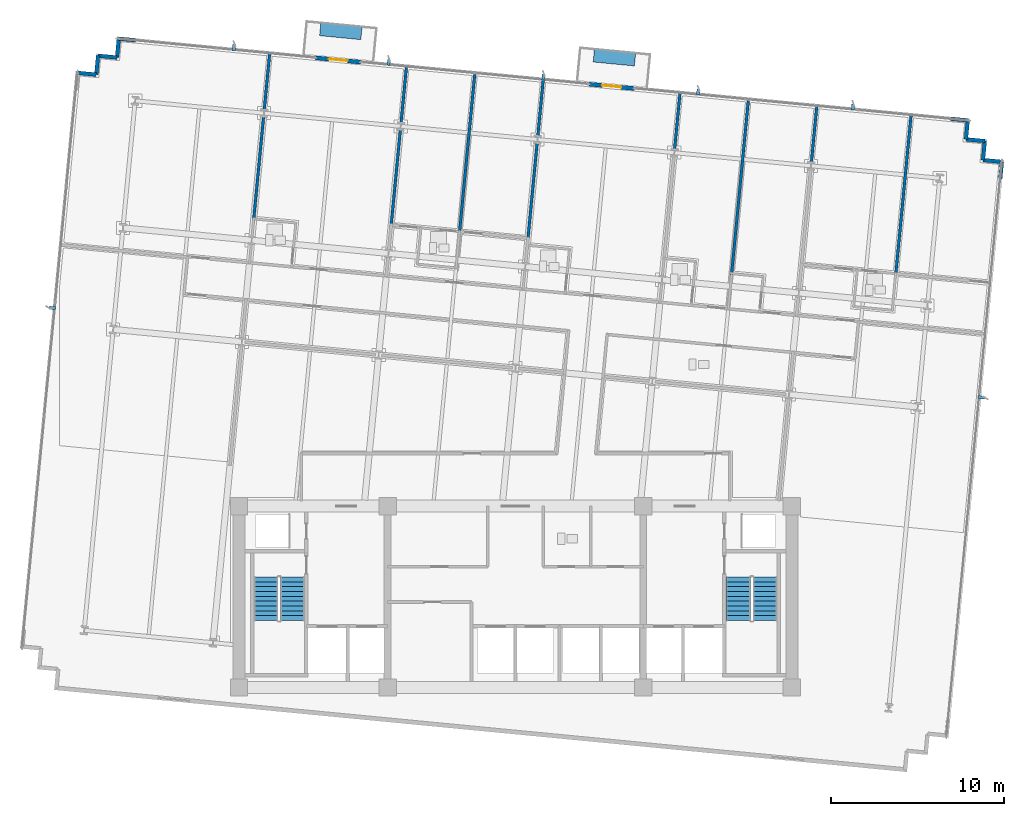
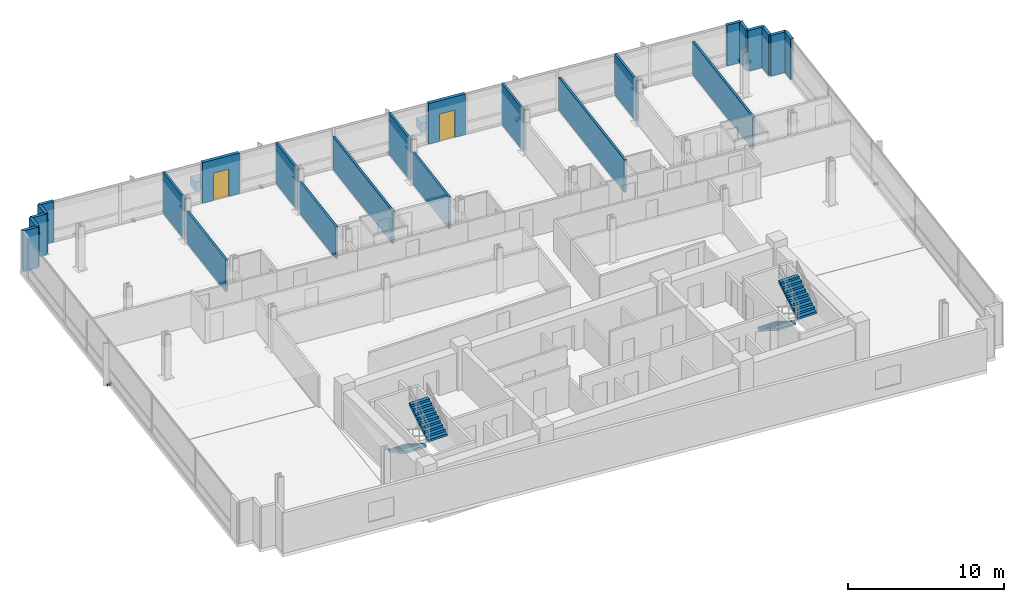
# One storey, part 13 of 17: 24 walls, 9 discrete accessories, 4 stair flights, 2 doors, 2 openings, 2 elements without a shape of their own.
"""IFC4 building model written with IfcOpenShell, lengths in metres."""

from ifc_helpers import new_model, si_unit, direction, frame, frame_2d, origin, origin_2d, place, context, subcontext, project, spatial, polyline, rectangle, outline, extrude, material, layer, layer_set, type_object, element, fill, aggregate, save


model = new_model("IFC4")

# Units and contexts
model_context = context("Model", 3, precision=1e-05, world=origin(), true_north=direction((0.0, 1.0)))
body_context = subcontext(model_context, "Body", "Model", "MODEL_VIEW")
ifc_project = project(units=[si_unit("LENGTHUNIT", "METRE"), si_unit("AREAUNIT", "SQUARE_METRE"), si_unit("VOLUMEUNIT", "CUBIC_METRE"), si_unit("PLANEANGLEUNIT", "RADIAN"), si_unit("MASSUNIT", "GRAM", prefix="KILO")], contexts=[model_context])

# Site, building, storey
site_placement = place(None, origin())
site = spatial("IfcSite", under=ifc_project, at=site_placement, CompositionType="ELEMENT")
building_placement = place(site_placement, origin())
building = spatial("IfcBuilding", under=site, at=building_placement, Name="Solmavex Isthmus Hotel", CompositionType="ELEMENT")
storey_placement = place(building_placement, frame((0.0, 0.0, 139.35009765625)))
storey = spatial("IfcBuildingStorey", under=building, at=storey_placement, Name="L37", CompositionType="ELEMENT", Elevation=139.35009765625)

# Wall, opening, door
ifc_material_1 = material(Name="Precast Concrete C40/50", Category="concrete")
ifc_layer_1 = layer(ifc_material_1, 0.25)
ifc_layer_set_1 = layer_set([ifc_layer_1], Name="Precast Concrete C40/50")
wall_type_1 = type_object("IfcWallType", Name="EW-TWR-250", PredefinedType="STANDARD", material=ifc_layer_set_1)
wall_1_placement = place(storey_placement, frame((-11.5634765625, 23.46142578125, 0.0), z_axis=(0.0, 0.0, 1.0), x_axis=(0.995402144456, -0.095783979938, 0.0)))
wall_1 = element("IfcWall", 1, at=wall_1_placement, inside=storey, type_object=wall_type_1, Name="Exterior Balcony Door Wall L37-2", PredefinedType="STANDARD", context=body_context, shape_type="SweptSolid", body=[
    extrude(rectangle(XDim=2.599853515625, YDim=0.239990234375, at=frame_2d((1.2998046875, 0.0))), origin(), (0.0, 0.0, 1.0), 3.18994140625),
])
opening_1_placement = place(wall_1_placement, frame((0.75, 0.0, 0.0)))
opening_1 = element("IfcOpeningElement", 2, at=opening_1_placement, cuts=wall_1, Name="Opening ED-02", PredefinedType="OPENING", context=body_context, shape_type="SweptSolid", body=[
    extrude(rectangle(XDim=1.10009765625, YDim=2.14990234375, at=frame_2d((0.550048828125, 1.074951171875))), frame((0.0, 0.1298828125, 0.0), z_axis=(0.0, -1.0, 0.0), x_axis=(1.0, 0.0, 0.0)), (0.0, 0.0, 1.0), 0.260009765625),
])
ifc_material_2 = material(Name="Aluminium alloy 6063-T6", Category="aluminium")
door_type = type_object("IfcDoorType", Name="EDR-BALC-1100", OperationType="NOTDEFINED", PredefinedType="DOOR", material=ifc_material_2)
door_1_placement = place(opening_1_placement, origin())
door_1 = element("IfcDoor", 3, at=door_1_placement, inside=storey, type_object=door_type, Name="Balcony & Terrace Glazed Door L37-2", OperationType="SINGLE_SWING_RIGHT", OverallHeight=2.14990234375, OverallWidth=1.10009765625, PredefinedType="DOOR", context=body_context, shape_type="SweptSolid", body=[
    extrude(rectangle(XDim=1.10009765625, YDim=2.14990234375, at=frame_2d((0.550048828125, 1.074951171875))), frame((0.0, 0.02490234375, 0.0), z_axis=(0.0, -1.0, 0.0), x_axis=(1.0, 0.0, 0.0)), (0.0, 0.0, 1.0), 0.050048828125),
])
fill(opening_1, door_1)

wall_2_placement = place(storey_placement, frame((4.275146484375, 21.9365234375, 0.0), z_axis=(0.0, 0.0, 1.0), x_axis=(0.995394049959, -0.095868061976, 0.0)))
wall_2 = element("IfcWall", 4, at=wall_2_placement, inside=storey, type_object=wall_type_1, Name="Exterior Balcony Door Wall L37-3", PredefinedType="STANDARD", context=body_context, shape_type="SweptSolid", body=[
    extrude(rectangle(XDim=2.60009765625, YDim=0.239990234375, at=frame_2d((1.300048828125, 0.0))), origin(), (0.0, 0.0, 1.0), 3.18994140625),
])
opening_2_placement = place(wall_2_placement, frame((0.75, 0.0, 0.0)))
opening_2 = element("IfcOpeningElement", 5, at=opening_2_placement, cuts=wall_2, Name="Opening ED-02", PredefinedType="OPENING", context=body_context, shape_type="SweptSolid", body=[
    extrude(rectangle(XDim=1.10009765625, YDim=2.14990234375, at=frame_2d((0.550048828125, 1.074951171875))), frame((0.0, 0.1298828125, 0.0), z_axis=(0.0, -1.0, 0.0), x_axis=(1.0, 0.0, 0.0)), (0.0, 0.0, 1.0), 0.260009765625),
])
door_2_placement = place(opening_2_placement, origin())
door_2 = element("IfcDoor", 6, at=door_2_placement, inside=storey, type_object=door_type, Name="Balcony & Terrace Glazed Door L37-3", OperationType="SINGLE_SWING_LEFT", OverallHeight=2.14990234375, OverallWidth=1.10009765625, PredefinedType="DOOR", context=body_context, shape_type="SweptSolid", body=[
    extrude(rectangle(XDim=1.10009765625, YDim=2.14990234375, at=frame_2d((0.550048828125, 1.074951171875))), frame((0.0, 0.02490234375, 0.0), z_axis=(0.0, -1.0, 0.0), x_axis=(1.0, 0.0, 0.0)), (0.0, 0.0, 1.0), 0.050048828125),
])
fill(opening_2, door_2)

# Walls
for number, where, z_axis, x_axis, name in (
    (7, (-25.366455078125, 22.59033203125, 0.0), (0.0, 0.0, 1.0), (0.995414313875, -0.095657429048, 0.0), "Serrated Corner Facade Panel L37-08"),
    (8, (-24.271484375, 22.485107421875, 0.0), (0.0, 0.0, 1.0), (0.095657429048, 0.995414313875, 0.0), "Serrated Corner Facade Panel L37-09"),
    (9, (-24.166259765625, 23.580078125, 0.0), (0.0, 0.0, 1.0), (0.995393156894, -0.095877334176, 0.0), "Serrated Corner Facade Panel L37-10"),
    (10, (-23.0712890625, 23.474609375, 0.0), (0.0, 0.0, 1.0), (0.095877334176, 0.995393156894, 0.0), "Serrated Corner Facade Panel L37-11"),
):
    element("IfcWall", number, at=place(storey_placement, frame(where, z_axis=z_axis, x_axis=x_axis)), inside=storey, type_object=wall_type_1, Name=name, PredefinedType="STANDARD", context=body_context, shape_type="SweptSolid", body=[
        extrude(rectangle(XDim=1.10009765625, YDim=0.219970703125, at=frame_2d((0.550048828125, 0.0))), origin(), (0.0, 0.0, 1.0), 3.18994140625),
    ])
for number, where, z_axis, x_axis, name in (
    (11, (-22.9658203125, 24.569580078125, 0.0), (0.0, 0.0, 1.0), (0.995387314086, -0.095937974524, 0.0), "Serrated Corner Facade Panel L37-12"),
    (12, (25.201416015625, 19.931396484375, 0.0), (0.0, 0.0, 1.0), (0.99541083642, -0.095693608655, 0.0), "Serrated Corner Facade Panel L37-14"),
):
    element("IfcWall", number, at=place(storey_placement, frame(where, z_axis=z_axis, x_axis=x_axis)), inside=storey, type_object=wall_type_1, Name=name, PredefinedType="STANDARD", context=body_context, shape_type="SweptSolid", body=[
        extrude(rectangle(XDim=0.989990234375, YDim=0.219970703125, at=frame_2d((0.4951171875, 0.0))), origin(), (0.0, 0.0, 1.0), 3.18994140625),
    ])
wall_3_placement = place(storey_placement, frame((26.186767578125, 19.836669921875, 0.0), z_axis=(0.0, 0.0, 1.0), x_axis=(-0.095657429048, -0.995414313875, 0.0)))
element("IfcWall", 13, at=wall_3_placement, inside=storey, type_object=wall_type_1, Name="Serrated Corner Facade Panel L37-15", PredefinedType="STANDARD", context=body_context, shape_type="SweptSolid", body=[
    extrude(rectangle(XDim=1.10009765625, YDim=0.219970703125, at=frame_2d((0.550048828125, 0.0))), origin(), (0.0, 0.0, 1.0), 3.18994140625),
])
wall_4_placement = place(storey_placement, frame((26.08154296875, 18.74169921875, 0.0), z_axis=(0.0, 0.0, 1.0), x_axis=(0.995391116058, -0.095898519656, 0.0)))
element("IfcWall", 14, at=wall_4_placement, inside=storey, type_object=wall_type_1, Name="Serrated Corner Facade Panel L37-16", PredefinedType="STANDARD", context=body_context, shape_type="SweptSolid", body=[
    extrude(rectangle(XDim=1.099853515625, YDim=0.219970703125, at=frame_2d((0.5498046875, 0.0))), origin(), (0.0, 0.0, 1.0), 3.18994140625),
])
wall_5_placement = place(storey_placement, frame((27.17626953125, 18.63623046875, 0.0), z_axis=(0.0, 0.0, 1.0), x_axis=(-0.095657429048, -0.995414313875, 0.0)))
element("IfcWall", 15, at=wall_5_placement, inside=storey, type_object=wall_type_1, Name="Serrated Corner Facade Panel L37-17", PredefinedType="STANDARD", context=body_context, shape_type="SweptSolid", body=[
    extrude(rectangle(XDim=1.10009765625, YDim=0.219970703125, at=frame_2d((0.550048828125, 0.0))), origin(), (0.0, 0.0, 1.0), 3.18994140625),
])
wall_6_placement = place(storey_placement, frame((27.071044921875, 17.541259765625, 0.0), z_axis=(0.0, 0.0, 1.0), x_axis=(0.995391116058, -0.095898519656, 0.0)))
element("IfcWall", 16, at=wall_6_placement, inside=storey, type_object=wall_type_1, Name="Serrated Corner Facade Panel L37-18", PredefinedType="STANDARD", context=body_context, shape_type="SweptSolid", body=[
    extrude(rectangle(XDim=1.099853515625, YDim=0.219970703125, at=frame_2d((0.5498046875, 0.0))), origin(), (0.0, 0.0, 1.0), 3.18994140625),
])
wall_7_placement = place(storey_placement, frame((28.165771484375, 17.435791015625, 0.0), z_axis=(0.0, 0.0, 1.0), x_axis=(-0.095693608655, -0.99541083642, 0.0)))
element("IfcWall", 17, at=wall_7_placement, inside=storey, type_object=wall_type_1, Name="Serrated Corner Facade Panel L37-19", PredefinedType="STANDARD", context=body_context, shape_type="SweptSolid", body=[
    extrude(rectangle(XDim=0.989990234375, YDim=0.219970703125, at=frame_2d((0.4951171875, 0.0))), origin(), (0.0, 0.0, 1.0), 3.18994140625),
])
ifc_material_3 = material(Name="Gypsum plasterboard lining", Category="gypsum")
ifc_layer_2 = layer(ifc_material_3, 0.159912109375)
ifc_layer_set_2 = layer_set([ifc_layer_2], Name="Gypsum plasterboard lining")
wall_type_2 = type_object("IfcWallType", Name="IW-COMP-160", PredefinedType="PARTITIONING", material=ifc_layer_set_2)
wall_8_placement = place(storey_placement, frame((-14.57958984375, 20.0791015625, 0.0), z_axis=(0.0, 0.0, 1.0), x_axis=(-0.095823018237, -0.995398387168, 0.0)))
element("IfcWall", 18, at=wall_8_placement, inside=storey, type_object=wall_type_2, Name="Interior Partition Wall W-L37-P026", PredefinedType="PARTITIONING", context=body_context, shape_type="SweptSolid", body=[
    extrude(rectangle(XDim=6.05615234375, YDim=0.159912109375, at=frame_2d((3.028076171875, 0.0))), origin(), (0.0, 0.0, 1.0), 2.4794921875),
])
wall_9_placement = place(storey_placement, frame((-14.225341796875, 23.758056640625, 0.0), z_axis=(0.0, 0.0, 1.0), x_axis=(-0.095859866796, -0.995394839216, 0.0)))
element("IfcWall", 19, at=wall_9_placement, inside=storey, type_object=wall_type_2, Name="Interior Partition Wall W-L37-P027", PredefinedType="PARTITIONING", context=body_context, shape_type="SweptSolid", body=[
    extrude(rectangle(XDim=3.343994140625, YDim=0.159912109375, at=frame_2d((1.671875, 0.0))), origin(), (0.0, 0.0, 1.0), 3.18994140625),
])
wall_10_placement = place(storey_placement, frame((-6.66015625, 19.31640625, 0.0), z_axis=(0.0, 0.0, 1.0), x_axis=(-0.095877964448, -0.995393096185, 0.0)))
element("IfcWall", 20, at=wall_10_placement, inside=storey, type_object=wall_type_2, Name="Interior Partition Wall W-L37-P035", PredefinedType="PARTITIONING", context=body_context, shape_type="SweptSolid", body=[
    extrude(rectangle(XDim=5.64794921875, YDim=0.159912109375, at=frame_2d((2.823974609375, 0.0))), origin(), (0.0, 0.0, 1.0), 2.4794921875),
])
wall_11_placement = place(storey_placement, frame((-6.305908203125, 22.995361328125, 0.0), z_axis=(0.0, 0.0, 1.0), x_axis=(-0.095859866796, -0.995394839216, 0.0)))
element("IfcWall", 21, at=wall_11_placement, inside=storey, type_object=wall_type_2, Name="Interior Partition Wall W-L37-P036", PredefinedType="PARTITIONING", context=body_context, shape_type="SweptSolid", body=[
    extrude(rectangle(XDim=3.343994140625, YDim=0.159912109375, at=frame_2d((1.671875, 0.0))), origin(), (0.0, 0.0, 1.0), 3.18994140625),
])
wall_12_placement = place(storey_placement, frame((-2.35791015625, 22.49462890625, 0.0), z_axis=(0.0, 0.0, 1.0), x_axis=(-0.095827921947, -0.995397915095, 0.0)))
element("IfcWall", 22, at=wall_12_placement, inside=storey, type_object=wall_type_2, Name="Interior Partition Wall W-L37-P044", PredefinedType="PARTITIONING", context=body_context, shape_type="SweptSolid", body=[
    extrude(rectangle(XDim=9.181884765625, YDim=0.159912109375, at=frame_2d((4.5908203125, 0.0))), origin(), (0.0, 0.0, 1.0), 2.557373046875),
])
wall_13_placement = place(storey_placement, frame((1.259033203125, 18.553955078125, 0.0), z_axis=(0.0, 0.0, 1.0), x_axis=(-0.095807834241, -0.995399848753, 0.0)))
element("IfcWall", 23, at=wall_13_placement, inside=storey, type_object=wall_type_2, Name="Interior Partition Wall W-L37-P046", PredefinedType="PARTITIONING", context=body_context, shape_type="SweptSolid", body=[
    extrude(rectangle(XDim=5.606201171875, YDim=0.159912109375, at=frame_2d((2.80322265625, 0.0))), origin(), (0.0, 0.0, 1.0), 2.4794921875),
])
for number, where, z_axis, x_axis, name in (
    (24, (1.61328125, 22.23291015625, 0.0), (0.0, 0.0, 1.0), (-0.095787528641, -0.99540180297, 0.0), "Interior Partition Wall W-L37-P047"),
    (25, (9.53271484375, 21.470458984375, 0.0), (0.0, 0.0, 1.0), (-0.095859866796, -0.995394839216, 0.0), "Interior Partition Wall W-L37-P051"),
):
    element("IfcWall", number, at=place(storey_placement, frame(where, z_axis=z_axis, x_axis=x_axis)), inside=storey, type_object=wall_type_2, Name=name, PredefinedType="PARTITIONING", context=body_context, shape_type="SweptSolid", body=[
        extrude(rectangle(XDim=3.343994140625, YDim=0.159912109375, at=frame_2d((1.671875, 0.0))), origin(), (0.0, 0.0, 1.0), 3.18994140625),
    ])
wall_14_placement = place(storey_placement, frame((13.48095703125, 20.9697265625, 0.0), z_axis=(0.0, 0.0, 1.0), x_axis=(-0.095852900965, -0.995395510024, 0.0)))
element("IfcWall", 26, at=wall_14_placement, inside=storey, type_object=wall_type_2, Name="Interior Partition Wall W-L37-P056", PredefinedType="PARTITIONING", context=body_context, shape_type="SweptSolid", body=[
    extrude(rectangle(XDim=10.132080078125, YDim=0.159912109375, at=frame_2d((5.06591796875, 0.0))), origin(), (0.0, 0.0, 1.0), 2.557373046875),
])
wall_15_placement = place(storey_placement, frame((17.4521484375, 20.707763671875, 0.0), z_axis=(0.0, 0.0, 1.0), x_axis=(-0.095859866796, -0.995394839216, 0.0)))
element("IfcWall", 27, at=wall_15_placement, inside=storey, type_object=wall_type_2, Name="Interior Partition Wall W-L37-P063", PredefinedType="PARTITIONING", context=body_context, shape_type="SweptSolid", body=[
    extrude(rectangle(XDim=3.343994140625, YDim=0.159912109375, at=frame_2d((1.671875, 0.0))), origin(), (0.0, 0.0, 1.0), 3.18994140625),
])
wall_16_placement = place(storey_placement, frame((22.910888671875, 20.18212890625, 0.0), z_axis=(0.0, 0.0, 1.0), x_axis=(-0.095851937807, -0.995395602772, 0.0)))
element("IfcWall", 28, at=wall_16_placement, inside=storey, type_object=wall_type_2, Name="Interior Partition Wall W-L37-P070", PredefinedType="PARTITIONING", context=body_context, shape_type="SweptSolid", body=[
    extrude(rectangle(XDim=9.3017578125, YDim=0.159912109375, at=frame_2d((4.65087890625, 0.0))), origin(), (0.0, 0.0, 1.0), 2.557373046875),
])

# Stair, stair flights
ifc_material_4 = material(Name="Concrete C40/50", Category="concrete")
stair_type_1 = type_object("IfcStairType", Name="STR-ST-1", PredefinedType="HALF_TURN_STAIR", material=ifc_material_4)
stair_1_placement = place(storey_placement, origin())
stair_1 = element("IfcStair", 29, at=stair_1_placement, inside=storey, type_object=stair_type_1, Name="L37 Protected Exit Stair ST-1", PredefinedType="HALF_TURN_STAIR")
stair_flight_type_1 = type_object("IfcStairFlightType", Name="SFL-ST-1", PredefinedType="STRAIGHT", material=ifc_material_4)
stair_flight_1_placement = place(storey_placement, frame((-14.449951171875, -6.60009765625, 0.0), z_axis=(0.0, 0.0, 1.0), x_axis=(0.0, -1.0, 0.0)))
stair_flight_1 = element("IfcStairFlight", 30, at=stair_flight_1_placement, type_object=stair_flight_type_1, Name="ST-1 flight 1", NumberOfRisers=10, NumberOfTreads=9, PredefinedType="STRAIGHT", RiserHeight=0.1725, TreadLength=0.28, context=body_context, shape_type="SweptSolid", body=[
    extrude(outline(polyline([(0.0, 0.0), (0.0, 0.172607421875), (0.280029296875, 0.172607421875), (0.280029296875, 0.344970703125), (0.56005859375, 0.344970703125), (0.56005859375, 0.517578125), (0.840087890625, 0.517578125), (0.840087890625, 0.68994140625), (1.1201171875, 0.68994140625), (1.1201171875, 0.862548828125), (1.39990234375, 0.862548828125), (1.39990234375, 1.034912109375), (1.679931640625, 1.034912109375), (1.679931640625, 1.20751953125), (1.9599609375, 1.20751953125), (1.9599609375, 1.3798828125), (2.239990234375, 1.3798828125), (2.239990234375, 1.552490234375), (2.52001953125, 1.552490234375), (2.52001953125, 1.72509765625), (2.52001953125, 1.37646484375), (0.285888671875, 0.0), (0.0, 0.0)])), frame((0.0, 0.699951171875, 0.0), z_axis=(0.0, -1.0, 0.0), x_axis=(1.0, 0.0, 0.0)), (0.0, 0.0, 1.0), 1.39990234375),
])
stair_flight_2_placement = place(storey_placement, frame((-12.89990234375, -9.1201171875, 1.724853515625), z_axis=(0.0, 0.0, 1.0), x_axis=(0.0, 1.0, 0.0)))
stair_flight_2 = element("IfcStairFlight", 31, at=stair_flight_2_placement, type_object=stair_flight_type_1, Name="ST-1 flight 2", NumberOfRisers=10, NumberOfTreads=9, PredefinedType="STRAIGHT", RiserHeight=0.1725, TreadLength=0.28, context=body_context, shape_type="SweptSolid", body=[
    extrude(outline(polyline([(0.0, 0.0), (0.0, 0.172607421875), (0.280029296875, 0.172607421875), (0.280029296875, 0.344970703125), (0.56005859375, 0.344970703125), (0.56005859375, 0.517578125), (0.840087890625, 0.517578125), (0.840087890625, 0.68994140625), (1.1201171875, 0.68994140625), (1.1201171875, 0.862548828125), (1.39990234375, 0.862548828125), (1.39990234375, 1.034912109375), (1.679931640625, 1.034912109375), (1.679931640625, 1.20751953125), (1.9599609375, 1.20751953125), (1.9599609375, 1.3798828125), (2.239990234375, 1.3798828125), (2.239990234375, 1.552490234375), (2.52001953125, 1.552490234375), (2.52001953125, 1.72509765625), (2.52001953125, 1.37646484375), (0.285888671875, 0.0), (0.0, 0.0)])), frame((0.0, 0.699951171875, 0.0), z_axis=(0.0, -1.0, 0.0), x_axis=(1.0, 0.0, 0.0)), (0.0, 0.0, 1.0), 1.39990234375),
])
aggregate(stair_1, [stair_flight_1, stair_flight_2])

stair_type_2 = type_object("IfcStairType", Name="STR-ST-2", PredefinedType="HALF_TURN_STAIR", material=ifc_material_4)
stair_2_placement = place(storey_placement, origin())
stair_2 = element("IfcStair", 32, at=stair_2_placement, inside=storey, type_object=stair_type_2, Name="L37 Protected Exit Stair ST-2", PredefinedType="HALF_TURN_STAIR")
stair_flight_type_2 = type_object("IfcStairFlightType", Name="SFL-ST-2", PredefinedType="STRAIGHT", material=ifc_material_4)
stair_flight_3_placement = place(storey_placement, frame((12.89990234375, -6.60009765625, 0.0), z_axis=(0.0, 0.0, 1.0), x_axis=(0.0, -1.0, 0.0)))
stair_flight_3 = element("IfcStairFlight", 33, at=stair_flight_3_placement, type_object=stair_flight_type_2, Name="ST-2 flight 1", NumberOfRisers=10, NumberOfTreads=9, PredefinedType="STRAIGHT", RiserHeight=0.1725, TreadLength=0.28, context=body_context, shape_type="SweptSolid", body=[
    extrude(outline(polyline([(0.0, 0.0), (0.0, 0.172607421875), (0.280029296875, 0.172607421875), (0.280029296875, 0.344970703125), (0.56005859375, 0.344970703125), (0.56005859375, 0.517578125), (0.840087890625, 0.517578125), (0.840087890625, 0.68994140625), (1.1201171875, 0.68994140625), (1.1201171875, 0.862548828125), (1.39990234375, 0.862548828125), (1.39990234375, 1.034912109375), (1.679931640625, 1.034912109375), (1.679931640625, 1.20751953125), (1.9599609375, 1.20751953125), (1.9599609375, 1.3798828125), (2.239990234375, 1.3798828125), (2.239990234375, 1.552490234375), (2.52001953125, 1.552490234375), (2.52001953125, 1.72509765625), (2.52001953125, 1.37646484375), (0.285888671875, 0.0), (0.0, 0.0)])), frame((0.0, 0.699951171875, 0.0), z_axis=(0.0, -1.0, 0.0), x_axis=(1.0, 0.0, 0.0)), (0.0, 0.0, 1.0), 1.39990234375),
])
stair_flight_4_placement = place(storey_placement, frame((14.449951171875, -9.1201171875, 1.724853515625), z_axis=(0.0, 0.0, 1.0), x_axis=(0.0, 1.0, 0.0)))
stair_flight_4 = element("IfcStairFlight", 34, at=stair_flight_4_placement, type_object=stair_flight_type_2, Name="ST-2 flight 2", NumberOfRisers=10, NumberOfTreads=9, PredefinedType="STRAIGHT", RiserHeight=0.1725, TreadLength=0.28, context=body_context, shape_type="SweptSolid", body=[
    extrude(outline(polyline([(0.0, 0.0), (0.0, 0.172607421875), (0.280029296875, 0.172607421875), (0.280029296875, 0.344970703125), (0.56005859375, 0.344970703125), (0.56005859375, 0.517578125), (0.840087890625, 0.517578125), (0.840087890625, 0.68994140625), (1.1201171875, 0.68994140625), (1.1201171875, 0.862548828125), (1.39990234375, 0.862548828125), (1.39990234375, 1.034912109375), (1.679931640625, 1.034912109375), (1.679931640625, 1.20751953125), (1.9599609375, 1.20751953125), (1.9599609375, 1.3798828125), (2.239990234375, 1.3798828125), (2.239990234375, 1.552490234375), (2.52001953125, 1.552490234375), (2.52001953125, 1.72509765625), (2.52001953125, 1.37646484375), (0.285888671875, 0.0), (0.0, 0.0)])), frame((0.0, 0.699951171875, 0.0), z_axis=(0.0, -1.0, 0.0), x_axis=(1.0, 0.0, 0.0)), (0.0, 0.0, 1.0), 1.39990234375),
])
aggregate(stair_2, [stair_flight_3, stair_flight_4])

# Discrete accessories
ifc_material_5 = material(Name="Steel ASTM A572 Grade 50", Category="steel")
discrete_accessory_type_1 = type_object("IfcDiscreteAccessoryType", Name="ACC-BRK-FIN", PredefinedType="BRACKET", material=ifc_material_5)
for number, where, z_axis, x_axis, name in (
    (35, (-16.294189453125, 24.0576171875, -0.169921875), (0.0, 0.0, 1.0), (0.09584575252, 0.995396198367, 0.0), "Facade Fin Support Bracket L37-N1"),
    (36, (-7.335693359375, 23.195068359375, -0.169921875), (0.0, 0.0, 1.0), (0.09584575252, 0.995396198367, 0.0), "Facade Fin Support Bracket L37-N2"),
    (37, (1.623046875, 22.33251953125, -0.169921875), (0.0, 0.0, 1.0), (0.09584575252, 0.995396198367, 0.0), "Facade Fin Support Bracket L37-N3"),
    (38, (10.58154296875, 21.4697265625, -0.169921875), (0.0, 0.0, 1.0), (0.09584575252, 0.995396198367, 0.0), "Facade Fin Support Bracket L37-N4"),
    (39, (19.5400390625, 20.607177734375, -0.169921875), (0.0, 0.0, 1.0), (0.09584575252, 0.995396198367, 0.0), "Facade Fin Support Bracket L37-N5"),
    (40, (-26.80810546875, 8.975830078125, -0.169921875), (0.0, 0.0, 1.0), (-0.995396198367, 0.09584575252, 0.0), "Facade Fin Support Bracket L37-W1"),
    (41, (26.983154296875, 3.79638671875, -0.169921875), (0.0, 0.0, 1.0), (0.995396198367, -0.09584575252, 0.0), "Facade Fin Support Bracket L37-E1"),
):
    element("IfcDiscreteAccessory", number, at=place(storey_placement, frame(where, z_axis=z_axis, x_axis=x_axis)), inside=storey, type_object=discrete_accessory_type_1, Name=name, PredefinedType="BRACKET", context=body_context, shape_type="SweptSolid", body=[
        extrude(rectangle(XDim=0.340087890625, YDim=0.179931640625, at=origin_2d()), origin(), (0.0, 0.0, 1.0), 0.159912109375),
    ])
discrete_accessory_type_2 = type_object("IfcDiscreteAccessoryType", Name="ACC-PLN-BALC", PredefinedType="USERDEFINED", material=ifc_material_1)
for number, where, z_axis, x_axis, name in (
    (42, (-10.109375, 24.999267578125, 0.0), (0.0, 0.0, 1.0), (0.995396198367, -0.09584575252, 0.0), "Tree-Balcony Architectural Planter L37-B1"),
    (43, (5.729248046875, 23.47412109375, 0.0), (0.0, 0.0, 1.0), (0.995396198367, -0.09584575252, 0.0), "Tree-Balcony Architectural Planter L37-B2"),
):
    element("IfcDiscreteAccessory", number, at=place(storey_placement, frame(where, z_axis=z_axis, x_axis=x_axis)), inside=storey, type_object=discrete_accessory_type_2, Name=name, ObjectType="PLANTER", PredefinedType="USERDEFINED", context=body_context, shape_type="SweptSolid", body=[
        extrude(rectangle(XDim=2.39990234375, YDim=0.75, at=origin_2d()), origin(), (0.0, 0.0, 1.0), 0.699951171875),
    ])

save(model, "model.ifc")
